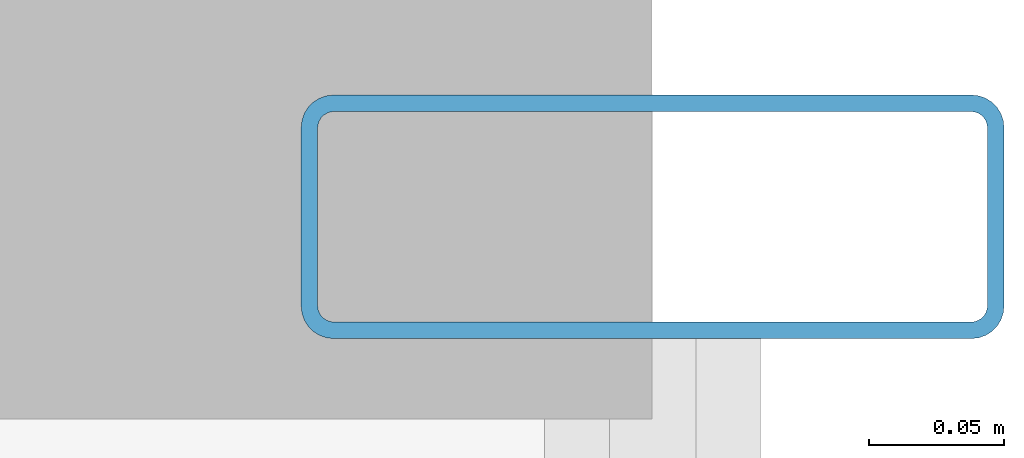
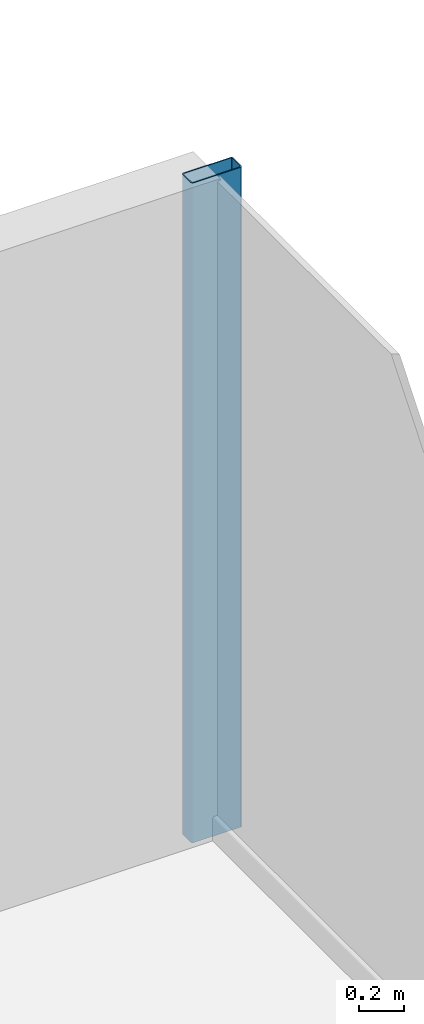
# One storey, part 18 of 25: 1 member, 1 element without a shape of its own.
"""IFC4 building model written with IfcOpenShell, lengths in metres."""

import ifcopenshell
import ifcopenshell.guid

model = None  # the IFC model being written
_history = None  # IfcOwnerHistory: only IFC2X3 demands one
_inside = {}  # id of a spatial element -> (the spatial element, [elements in it])
_under = {}  # id of a project, library or spatial element -> (it, [spatial elements below it])
_declared = {}  # id of a project -> (the project, [libraries it declares])
_typed = {}  # id of a type object -> (the type object, [elements of that type])
_made_of = {}  # id of a material, layer set ... -> (it, [elements and type objects made of it])


def new_model(schema):
    """Start an empty IFC model of exactly this schema.

    Asked for "IFC4X3", IfcOpenShell would pick the latest addendum, in which some entities
    have other attributes; the version numbers below select the first issue.
    IFC2X3 requires an IfcOwnerHistory on every rooted entity: one is made here for all.
    """
    global model, _history
    if schema == "IFC4X3":
        model = ifcopenshell.file(schema_version=(4, 3, 0, 0))
    else:
        model = ifcopenshell.file(schema=schema)
    _inside.clear()
    _under.clear()
    _declared.clear()
    _typed.clear()
    _made_of.clear()
    _history = None
    if model.schema == "IFC2X3":
        org = make("IfcOrganization", Name="unknown")
        user = make(
            "IfcPersonAndOrganization",
            ThePerson=make("IfcPerson", FamilyName="unknown"),
            TheOrganization=org,
        )
        app = make(
            "IfcApplication",
            ApplicationDeveloper=org,
            Version="unknown",
            ApplicationFullName="unknown",
            ApplicationIdentifier="unknown",
        )
        _history = make(
            "IfcOwnerHistory",
            OwningUser=user,
            OwningApplication=app,
            ChangeAction="ADDED",
            CreationDate=0,
        )
    return model


def make(cls, **values):
    """One entity of the class cls with the attributes given. An attribute that is None is left unset."""
    return model.create_entity(
        cls, **{name: value for name, value in values.items() if value is not None}
    )


def rooted(cls, **values):
    """An entity with a GlobalId (a new one), such as an element, a storey or a relation."""
    return make(cls, GlobalId=ifcopenshell.guid.new(), OwnerHistory=_history, **values)


def si_unit(unit_type, name, prefix=None):
    """IfcSIUnit, for example si_unit("LENGTHUNIT", "METRE", prefix="MILLI")."""
    return make("IfcSIUnit", UnitType=unit_type, Prefix=prefix, Name=name)


def assignment(units):
    """IfcUnitAssignment: the units of a project."""
    return None if units is None else make("IfcUnitAssignment", Units=units)


def point(xyz):
    """IfcCartesianPoint."""
    return None if xyz is None else make("IfcCartesianPoint", Coordinates=xyz)


def direction(xyz):
    """IfcDirection."""
    return None if xyz is None else make("IfcDirection", DirectionRatios=xyz)


def frame(location, z_axis=None, x_axis=None):
    """IfcAxis2Placement3D, a coordinate frame: its origin and axes. An axis left out is left unset."""
    return make(
        "IfcAxis2Placement3D",
        Location=point(location),
        Axis=direction(z_axis),
        RefDirection=direction(x_axis),
    )


def frame_2d(location, x_axis=None):
    """IfcAxis2Placement2D, a coordinate frame in the plane: its origin and x axis."""
    return make(
        "IfcAxis2Placement2D", Location=point(location), RefDirection=direction(x_axis)
    )


def origin():
    """The frame at (0, 0, 0) with its axes left unset."""
    return frame((0.0, 0.0, 0.0))


def origin_2d():
    """The frame at (0, 0) in the plane with its x axis left unset."""
    return frame_2d((0.0, 0.0))


def place(relative_to, where):
    """IfcLocalPlacement: puts the frame where relative to a parent placement (None: the world)."""
    return make(
        "IfcLocalPlacement", PlacementRelTo=relative_to, RelativePlacement=where
    )


def context(
    kind, dimensions, precision=None, world=None, true_north=None, identifier=None
):
    """IfcGeometricRepresentationContext, for example the 3D "Model" context."""
    return make(
        "IfcGeometricRepresentationContext",
        ContextIdentifier=identifier,
        ContextType=kind,
        CoordinateSpaceDimension=dimensions,
        Precision=precision,
        WorldCoordinateSystem=world,
        TrueNorth=true_north,
    )


def subcontext(parent, identifier, kind, view, scale=None):
    """IfcGeometricRepresentationSubContext, for example "Body" below "Model"."""
    return make(
        "IfcGeometricRepresentationSubContext",
        ContextIdentifier=identifier,
        ContextType=kind,
        ParentContext=parent,
        TargetScale=scale,
        TargetView=view,
    )


def project(units=None, contexts=None):
    """IfcProject with its units and contexts."""
    return rooted(
        "IfcProject",
        Name="project",
        RepresentationContexts=contexts,
        UnitsInContext=assignment(units),
    )


def spatial(cls, under=None, at=None, **own):
    """A site, building, storey or space (cls), placed at a placement, below another one or the project."""
    s = rooted(cls, ObjectPlacement=at, **own)
    if under is not None:
        _under.setdefault(under.id(), (under, []))[1].append(s)
    return s


def profile(cls, at=None, kind="AREA", **sizes):
    """A parametric profile (cls). Its sizes go by their IFC names, for example OverallWidth=200.0."""
    return make(cls, ProfileType=kind, Position=at, **sizes)


def hollow_rectangle(**sizes):
    """IfcRectangleHollowProfileDef."""
    return profile("IfcRectangleHollowProfileDef", **sizes)


def extrude(swept, where, along, depth):
    """IfcExtrudedAreaSolid: the profile swept, set in the frame where, extruded along a direction by depth."""
    return make(
        "IfcExtrudedAreaSolid",
        SweptArea=swept,
        Position=where,
        ExtrudedDirection=direction(along),
        Depth=depth,
    )


def shape(context_of_items, identifier, shape_type, items):
    """IfcShapeRepresentation: the items that make up one representation, for example the "Body"."""
    return make(
        "IfcShapeRepresentation",
        ContextOfItems=context_of_items,
        RepresentationIdentifier=identifier,
        RepresentationType=shape_type,
        Items=items,
    )


def source(mapping_origin, context_of_items, identifier, shape_type, items):
    """IfcRepresentationMap: a shape defined once, which mapped items show again and again."""
    return make(
        "IfcRepresentationMap",
        MappingOrigin=mapping_origin,
        MappedRepresentation=shape(context_of_items, identifier, shape_type, items),
    )


def transform(
    local_origin,
    x_axis=None,
    y_axis=None,
    z_axis=None,
    scale=None,
    scale2=None,
    scale3=None,
    uniform=True,
):
    """IfcCartesianTransformationOperator3D, or its non-uniform kind. x_axis, y_axis, z_axis: its Axis1, 2, 3."""
    if uniform:
        return make(
            "IfcCartesianTransformationOperator3D",
            Axis1=direction(x_axis),
            Axis2=direction(y_axis),
            LocalOrigin=point(local_origin),
            Scale=scale,
            Axis3=direction(z_axis),
        )
    return make(
        "IfcCartesianTransformationOperator3DnonUniform",
        Axis1=direction(x_axis),
        Axis2=direction(y_axis),
        LocalOrigin=point(local_origin),
        Scale=scale,
        Axis3=direction(z_axis),
        Scale2=scale2,
        Scale3=scale3,
    )


def mapped(mapping_source, mapping_target):
    """IfcMappedItem: shows the shape of a source again, moved by a transform."""
    return make(
        "IfcMappedItem", MappingSource=mapping_source, MappingTarget=mapping_target
    )


def material(Name=None, Category=None):
    """IfcMaterial."""
    return make("IfcMaterial", Name=Name, Category=Category)


def layer(
    of_material, thickness, ventilated=None, Name=None, Category=None, Priority=None
):
    """IfcMaterialLayer: one layer of a wall or slab, of a material (None: an air gap)."""
    return make(
        "IfcMaterialLayer",
        Material=of_material,
        LayerThickness=thickness,
        IsVentilated=ventilated,
        Name=Name,
        Category=Category,
        Priority=Priority,
    )


def layer_set(layers, Name=None):
    """IfcMaterialLayerSet."""
    return make("IfcMaterialLayerSet", MaterialLayers=layers, LayerSetName=Name)


def material_profile(
    of_material, cross_section, Name=None, Category=None, Priority=None
):
    """IfcMaterialProfile: a cross section and its material."""
    return make(
        "IfcMaterialProfile",
        Name=Name,
        Material=of_material,
        Profile=cross_section,
        Priority=Priority,
        Category=Category,
    )


def profile_set(profiles, Name=None, composite=None):
    """IfcMaterialProfileSet."""
    return make(
        "IfcMaterialProfileSet",
        Name=Name,
        MaterialProfiles=profiles,
        CompositeProfile=composite,
    )


def made_of(thing, what):
    """Note that an element or type object is made of a material, layer set ...; save() writes the relation."""
    if what is not None:
        _made_of.setdefault(what.id(), (what, []))[1].append(thing)
    return thing


def type_object(cls, material=None, **own):
    """A type object (cls), such as IfcWallType, which elements share."""
    return made_of(rooted(cls, **own), material)


def element(
    cls,
    number,
    at=None,
    inside=None,
    cuts=None,
    type_object=None,
    material=None,
    context=None,
    identifier="Body",
    shape_type=None,
    held_by="IfcProductDefinitionShape",
    body=None,
    shapes=None,
    **own,
):
    """One element of the class cls, such as IfcWall. Its Tag is "e" and its number.

    at: its placement. inside: the storey or other place that contains it. cuts: it is an
    opening in that element (IfcRelVoidsElement). A single representation is given by context,
    identifier, shape_type and body (its items); several are given by shapes. held_by: the class
    of the entity that holds the representations. save() writes the other relations.
    """
    e = rooted(cls, Tag="e%d" % number, ObjectPlacement=at, **own)
    if body is not None:
        shapes = [shape(context, identifier, shape_type, body)]
    if shapes is not None:
        e.Representation = make(held_by, Representations=shapes)
    if inside is not None:
        _inside.setdefault(inside.id(), (inside, []))[1].append(e)
    if cuts is not None:
        rooted(
            "IfcRelVoidsElement", RelatingBuildingElement=cuts, RelatedOpeningElement=e
        )
    if type_object is not None:
        _typed.setdefault(type_object.id(), (type_object, []))[1].append(e)
    return made_of(e, material)


def aggregate(whole, parts):
    """IfcRelAggregates: a whole, such as a stair, and the parts it consists of."""
    return rooted("IfcRelAggregates", RelatingObject=whole, RelatedObjects=parts)


def save(model, path):
    """Write the relations noted so far, then the file.

    IfcRelAggregates (storeys below a building ...), IfcRelContainedInSpatialStructure (elements
    in a storey), IfcRelDefinesByType, IfcRelAssociatesMaterial and IfcRelDeclares: one each for
    every whole, place, type object, material and project.
    """
    for whole, parts in _under.values():
        aggregate(whole, parts)
    for where, things in _inside.values():
        rooted(
            "IfcRelContainedInSpatialStructure",
            RelatedElements=things,
            RelatingStructure=where,
        )
    for kind, things in _typed.values():
        rooted("IfcRelDefinesByType", RelatedObjects=things, RelatingType=kind)
    for what, things in _made_of.values():
        rooted("IfcRelAssociatesMaterial", RelatedObjects=things, RelatingMaterial=what)
    for by, libraries in _declared.values():
        rooted("IfcRelDeclares", RelatingContext=by, RelatedDefinitions=libraries)
    model.write(path)


model = new_model("IFC4")

# Units and contexts
model_context = context("Model", 3, precision=1e-05, world=origin(), true_north=direction((0.0, 1.0)))
body_context = subcontext(model_context, "Body", "Model", "MODEL_VIEW")
ifc_project = project(units=[si_unit("LENGTHUNIT", "METRE"), si_unit("AREAUNIT", "SQUARE_METRE"), si_unit("VOLUMEUNIT", "CUBIC_METRE"), si_unit("PLANEANGLEUNIT", "RADIAN"), si_unit("MASSUNIT", "GRAM", prefix="KILO")], contexts=[model_context])

# Site, building, storey
site_placement = place(None, origin())
site = spatial("IfcSite", under=ifc_project, at=site_placement, CompositionType="ELEMENT")
building_placement = place(site_placement, origin())
building = spatial("IfcBuilding", under=site, at=building_placement, Name="Nefas-Gora Pilgrimage Tower", CompositionType="ELEMENT")
storey_placement = place(building_placement, frame((0.0, 0.0, 52.0)))
storey = spatial("IfcBuildingStorey", under=building, at=storey_placement, Name="L11", CompositionType="ELEMENT", Elevation=52.0)

# Curtain wall, member
ifc_material_1 = material(Name="Dark ceramic-fritted solar-control aluminium-glass curtain wall", Category="aluminium")
ifc_layer = layer(ifc_material_1, 0.219970703125)
ifc_layer_set = layer_set([ifc_layer], Name="Dark ceramic-fritted solar-control aluminium-glass curtain wall")
curtain_wall_type = type_object("IfcCurtainWallType", Name="CW-SYS-2", PredefinedType="NOTDEFINED", material=ifc_layer_set)
curtain_wall_placement = place(storey_placement, origin())
curtain_wall = element("IfcCurtainWall", 1, at=curtain_wall_placement, inside=storey, type_object=curtain_wall_type, Name="L11 Unitised Curtain Wall CW2", PredefinedType="NOTDEFINED")
ifc_material_2 = material(Name="Anodised architectural aluminium", Category="aluminium")
ifc_material_profile = material_profile(ifc_material_2, hollow_rectangle(XDim=0.090087890625, YDim=0.260009765625, WallThickness=0.006103515625, InnerFilletRadius=0.006103515625, OuterFilletRadius=0.011962890625, at=origin_2d()), Name="ALU MULLION 90x260")
ifc_profile_set = profile_set([ifc_material_profile], Name="Anodised architectural aluminium")
member_type = type_object("IfcMemberType", Name="CWM-MUL-2", PredefinedType="MULLION", material=ifc_profile_set)
shared_shape = source(origin(), body_context, "Body", "SweptSolid", [
    extrude(hollow_rectangle(XDim=0.090087890625, YDim=0.260009765625, WallThickness=0.006103515625, InnerFilletRadius=0.006103515625, OuterFilletRadius=0.011962890625, at=origin_2d()), origin(), (0.0, 0.0, 1.0), 3.550048828125),
])
member_placement = place(storey_placement, frame((34.27001953125, 17.574951171875, 0.0), z_axis=(0.0, 0.0, 1.0), x_axis=(0.0, 1.0, 0.0)))
member = element("IfcMember", 2, at=member_placement, type_object=member_type, Name="CW2 Mullion 2", PredefinedType="MULLION", context=body_context, shape_type="MappedRepresentation", body=[
    mapped(shared_shape, transform((0.0, 0.0, 0.0), x_axis=(1.0, 0.0, 0.0), y_axis=(0.0, 1.0, 0.0), z_axis=(0.0, 0.0, 1.0), scale=1.0)),
])
aggregate(curtain_wall, [member])

save(model, "model.ifc")
